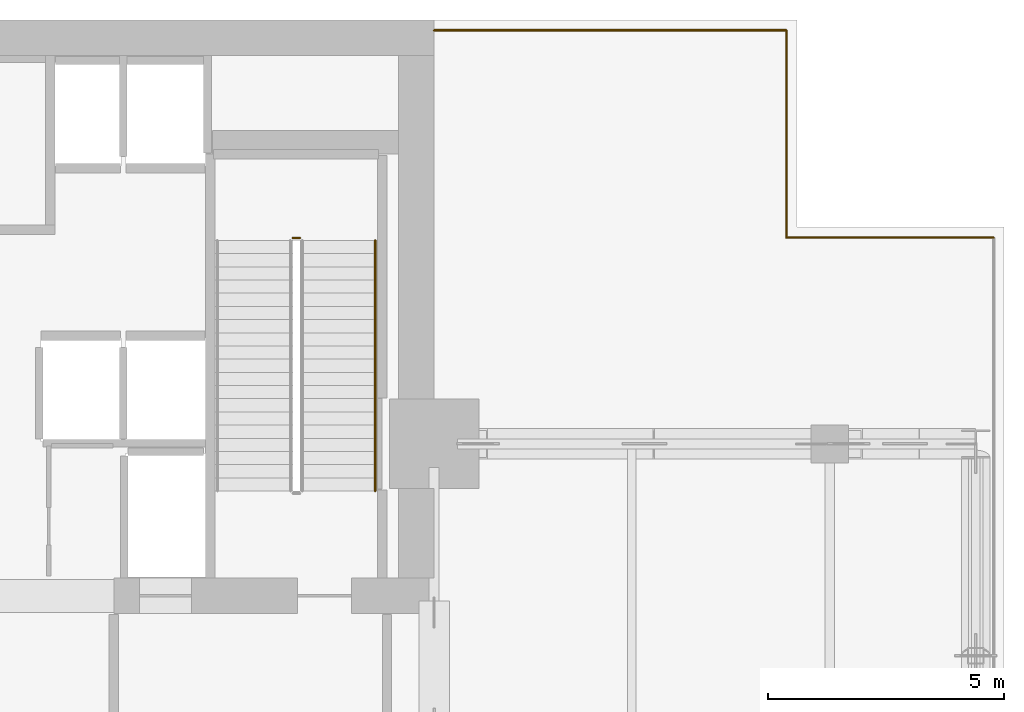
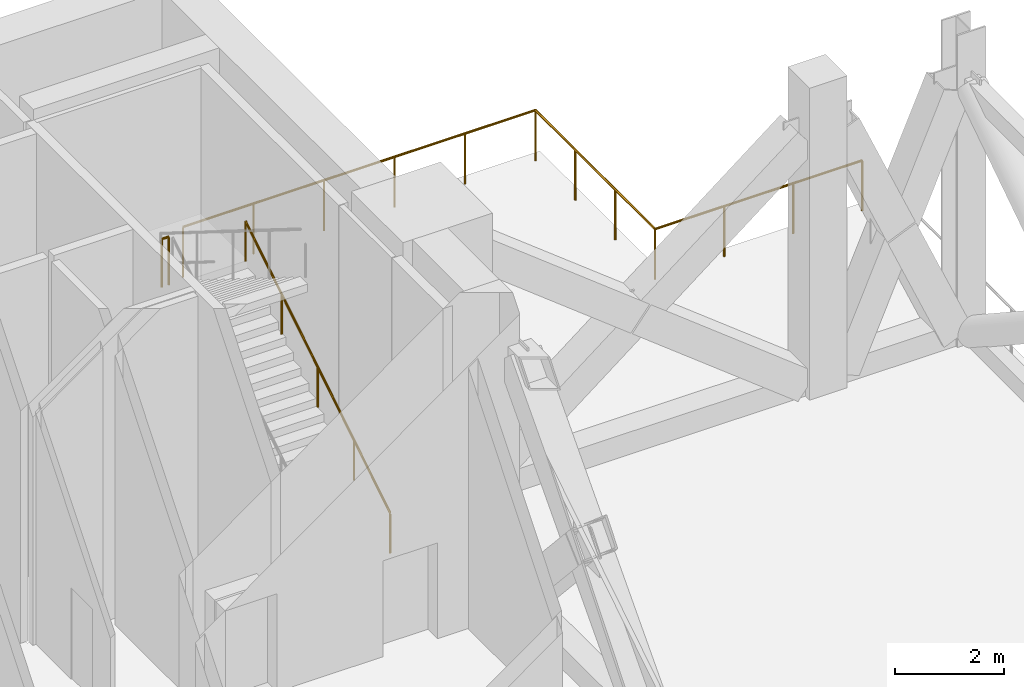
# One storey, part 14 of 14: 5 railings.
"""IFC4 building model written with IfcOpenShell, lengths in metres."""

from ifc_helpers import new_model, si_unit, direction, frame, origin, origin_2d, place, context, subcontext, project, spatial, circle, extrude, material, type_object, element, save


model = new_model("IFC4")

# Units and contexts
model_context = context("Model", 3, precision=1e-05, world=origin(), true_north=direction((0.0, 1.0)))
body_context = subcontext(model_context, "Body", "Model", "MODEL_VIEW")
ifc_project = project(units=[si_unit("LENGTHUNIT", "METRE"), si_unit("AREAUNIT", "SQUARE_METRE"), si_unit("VOLUMEUNIT", "CUBIC_METRE"), si_unit("PLANEANGLEUNIT", "RADIAN"), si_unit("MASSUNIT", "GRAM", prefix="KILO")], contexts=[model_context])

# Site, building, storey
site_placement = place(None, origin())
site = spatial("IfcSite", under=ifc_project, at=site_placement, CompositionType="ELEMENT")
building_placement = place(site_placement, origin())
building = spatial("IfcBuilding", under=site, at=building_placement, Name="Maruvema Waterfront Hotel and Observation Tower", CompositionType="ELEMENT")
storey_placement = place(building_placement, frame((0.0, 0.0, 227.5)))
storey = spatial("IfcBuildingStorey", under=building, at=storey_placement, Name="L56", CompositionType="ELEMENT", Elevation=227.5)

# Railings
ifc_material_1 = material(Name="Brushed stainless steel Grade 316", Category="steel")
railing_type_1 = type_object("IfcRailingType", Name="Ramp Continuous Wall Handrail 920 mm", PredefinedType="HANDRAIL", material=ifc_material_1)
railing_1_placement = place(storey_placement, frame((49.14990234375, 44.0, 0.175048828125)))
element("IfcRailing", 1, at=railing_1_placement, inside=storey, type_object=railing_type_1, Name="L56 ST-03 stair handrail 1", PredefinedType="HANDRAIL", context=body_context, shape_type="SweptSolid", body=[
    extrude(circle(Radius=0.02392578125, at=origin_2d()), frame((0.0, 0.0, 0.89599609375), z_axis=(0.0, 0.848004862711, 0.52998844593), x_axis=(-1.0, 0.0, 0.0)), (0.0, 0.0, 1.0), 6.273681640625),
    extrude(circle(Radius=0.02099609375, at=origin_2d()), origin(), (0.0, 0.0, 1.0), 0.871826171875),
    extrude(circle(Radius=0.02099609375, at=origin_2d()), frame((0.0, 1.330078125, 0.831298828125)), (0.0, 0.0, 1.0), 0.871826171875),
    extrude(circle(Radius=0.02099609375, at=origin_2d()), frame((0.0, 2.66015625, 1.66259765625)), (0.0, 0.0, 1.0), 0.871826171875),
    extrude(circle(Radius=0.02099609375, at=origin_2d()), frame((0.0, 3.989990234375, 2.49365234375)), (0.0, 0.0, 1.0), 0.871826171875),
    extrude(circle(Radius=0.02099609375, at=origin_2d()), frame((0.0, 5.320068359375, 3.324951171875)), (0.0, 0.0, 1.0), 0.871826171875),
])
ifc_material_2 = material(Name="Brushed stainless steel Grade 316", Category="steel")
railing_type_2 = type_object("IfcRailingType", Name="Ramp and Terrace Guard Balustrade 1100 mm", PredefinedType="BALUSTRADE", material=ifc_material_2)
railing_2_placement = place(storey_placement, frame((47.550048828125, 49.3701171875, 3.5)))
element("IfcRailing", 2, at=railing_2_placement, inside=storey, type_object=railing_type_2, Name="L56 ST-03 stair guard 2", PredefinedType="BALUSTRADE", context=body_context, shape_type="SweptSolid", body=[
    extrude(circle(Radius=0.02392578125, at=origin_2d()), frame((0.0, 0.0, 1.076171875), z_axis=(-1.0, 0.0, 0.0), x_axis=(0.0, -1.0, 0.0)), (0.0, 0.0, 1.0), 0.150146484375),
    extrude(circle(Radius=0.02099609375, at=origin_2d()), origin(), (0.0, 0.0, 1.0), 1.052001953125),
    extrude(circle(Radius=0.02099609375, at=origin_2d()), frame((-0.150146484375, 0.0, 0.0)), (0.0, 0.0, 1.0), 1.052001953125),
])
ifc_material_3 = material(Name="Duplex stainless steel Grade 2205 and laminated glass", Category="steel")
railing_type_3 = type_object("IfcRailingType", Name="Wind-Floor Open Deck Safety Balustrade 1150 mm", PredefinedType="BALUSTRADE", material=ifc_material_3)
railing_3_placement = place(storey_placement, frame((50.39990234375, 53.780029296875, 0.0)))
element("IfcRailing", 3, at=railing_3_placement, inside=storey, type_object=railing_type_3, Name="L56 Perimeter Safety Balustrade 7", PredefinedType="BALUSTRADE", context=body_context, shape_type="SweptSolid", body=[
    extrude(circle(Radius=0.02392578125, at=origin_2d()), frame((0.0, 0.0, 1.1259765625), z_axis=(1.0, 0.0, 0.0), x_axis=(0.0, 1.0, 0.0)), (0.0, 0.0, 1.0), 7.47998046875),
    extrude(circle(Radius=0.02099609375, at=origin_2d()), origin(), (0.0, 0.0, 1.0), 1.101806640625),
    extrude(circle(Radius=0.02099609375, at=origin_2d()), frame((1.49609375, 0.0, 0.0)), (0.0, 0.0, 1.0), 1.101806640625),
    extrude(circle(Radius=0.02099609375, at=origin_2d()), frame((2.991943359375, 0.0, 0.0)), (0.0, 0.0, 1.0), 1.101806640625),
    extrude(circle(Radius=0.02099609375, at=origin_2d()), frame((4.488037109375, 0.0, 0.0)), (0.0, 0.0, 1.0), 1.101806640625),
    extrude(circle(Radius=0.02099609375, at=origin_2d()), frame((5.98388671875, 0.0, 0.0)), (0.0, 0.0, 1.0), 1.101806640625),
    extrude(circle(Radius=0.02099609375, at=origin_2d()), frame((7.47998046875, 0.0, 0.0)), (0.0, 0.0, 1.0), 1.101806640625),
])
railing_4_placement = place(storey_placement, frame((57.8798828125, 53.780029296875, 0.0)))
element("IfcRailing", 4, at=railing_4_placement, inside=storey, type_object=railing_type_3, Name="L56 Perimeter Safety Balustrade 8", PredefinedType="BALUSTRADE", context=body_context, shape_type="SweptSolid", body=[
    extrude(circle(Radius=0.02392578125, at=origin_2d()), frame((0.0, 0.0, 1.1259765625), z_axis=(0.0, -1.0, 0.0), x_axis=(1.0, 0.0, 0.0)), (0.0, 0.0, 1.0), 4.400146484375),
    extrude(circle(Radius=0.02099609375, at=origin_2d()), origin(), (0.0, 0.0, 1.0), 1.101806640625),
    extrude(circle(Radius=0.02099609375, at=origin_2d()), frame((0.0, -1.466796875, 0.0)), (0.0, 0.0, 1.0), 1.101806640625),
    extrude(circle(Radius=0.02099609375, at=origin_2d()), frame((0.0, -2.933349609375, 0.0)), (0.0, 0.0, 1.0), 1.101806640625),
    extrude(circle(Radius=0.02099609375, at=origin_2d()), frame((0.0, -4.400146484375, 0.0)), (0.0, 0.0, 1.0), 1.101806640625),
])
railing_5_placement = place(storey_placement, frame((57.8798828125, 49.3798828125, 0.0)))
element("IfcRailing", 5, at=railing_5_placement, inside=storey, type_object=railing_type_3, Name="L56 Perimeter Safety Balustrade 9", PredefinedType="BALUSTRADE", context=body_context, shape_type="SweptSolid", body=[
    extrude(circle(Radius=0.02392578125, at=origin_2d()), frame((0.0, 0.0, 1.1259765625), z_axis=(1.0, 0.0, 0.0), x_axis=(0.0, 1.0, 0.0)), (0.0, 0.0, 1.0), 4.400146484375),
    extrude(circle(Radius=0.02099609375, at=origin_2d()), origin(), (0.0, 0.0, 1.0), 1.101806640625),
    extrude(circle(Radius=0.02099609375, at=origin_2d()), frame((1.466796875, 0.0, 0.0)), (0.0, 0.0, 1.0), 1.101806640625),
    extrude(circle(Radius=0.02099609375, at=origin_2d()), frame((2.933349609375, 0.0, 0.0)), (0.0, 0.0, 1.0), 1.101806640625),
    extrude(circle(Radius=0.02099609375, at=origin_2d()), frame((4.400146484375, 0.0, 0.0)), (0.0, 0.0, 1.0), 1.101806640625),
])

save(model, "model.ifc")
